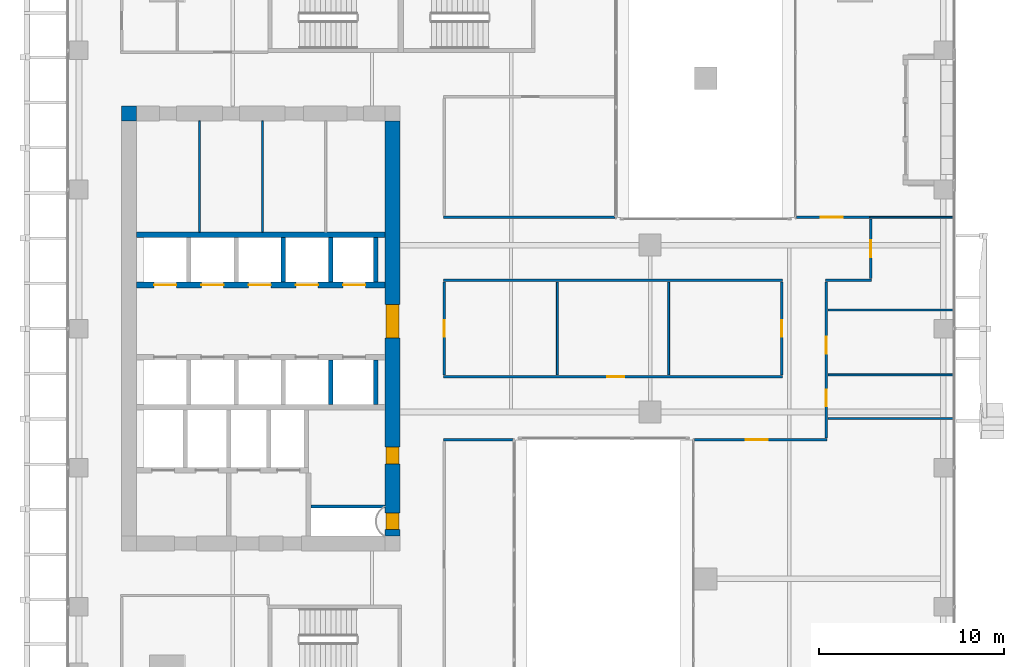
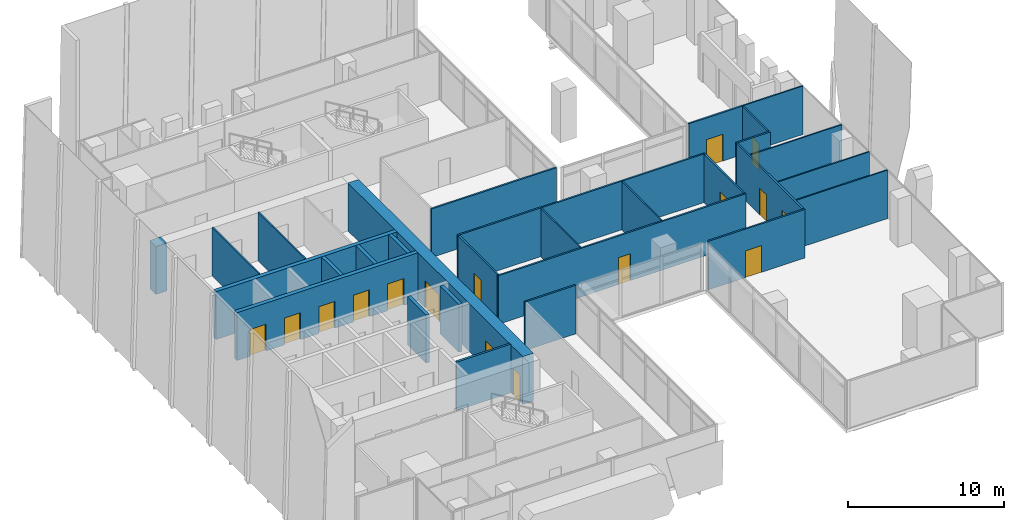
# One storey, part 34 of 40: 29 walls, 16 doors, 16 openings.
"""IFC4 building model written with IfcOpenShell, lengths in metres."""

from ifc_helpers import new_model, si_unit, direction, frame, frame_2d, origin, place, context, subcontext, project, spatial, rectangle, extrude, source, transform, mapped, material, layer, layer_set, type_object, element, fill, save


model = new_model("IFC4")

# Units and contexts
model_context = context("Model", 3, precision=1e-05, world=origin(), true_north=direction((0.0, 1.0)))
body_context = subcontext(model_context, "Body", "Model", "MODEL_VIEW")
ifc_project = project(units=[si_unit("LENGTHUNIT", "METRE"), si_unit("AREAUNIT", "SQUARE_METRE"), si_unit("VOLUMEUNIT", "CUBIC_METRE"), si_unit("PLANEANGLEUNIT", "RADIAN"), si_unit("MASSUNIT", "GRAM", prefix="KILO")], contexts=[model_context])

# Site, building, storey
site_placement = place(None, origin())
site = spatial("IfcSite", under=ifc_project, at=site_placement, CompositionType="ELEMENT")
building_placement = place(site_placement, origin())
building = spatial("IfcBuilding", under=site, at=building_placement, Name="Khomas Fold Tower", CompositionType="ELEMENT")
storey_placement = place(building_placement, frame((0.0, 0.0, 176.699951171875)))
storey = spatial("IfcBuildingStorey", under=building, at=storey_placement, Name="L38", CompositionType="ELEMENT", Elevation=176.699951171875)

# Wall
ifc_material_1 = material(Name="Concrete C60/75", Category="concrete")
ifc_layer_1 = layer(ifc_material_1, 0.800048828125)
ifc_layer_set_1 = layer_set([ifc_layer_1], Name="Concrete C60/75")
wall_type_1 = type_object("IfcWallType", Name="Core corner wall 800", PredefinedType="SHEAR", material=ifc_layer_set_1)
shared_shape_1 = source(origin(), body_context, "Body", "SweptSolid", [
    extrude(rectangle(XDim=0.800048828125, YDim=0.800048828125, at=frame_2d((0.39990234375, 0.0))), origin(), (0.0, 0.0, 1.0), 3.75),
])
wall_1_placement = place(storey_placement, frame((6.0, 38.60009765625, 0.0), z_axis=(0.0, 0.0, 1.0), x_axis=(1.0, 0.0, 0.0)))
element("IfcWall", 1, at=wall_1_placement, inside=storey, type_object=wall_type_1, Name="Core wall CW-U-NW-L35", PredefinedType="SHEAR", context=body_context, shape_type="MappedRepresentation", body=[
    mapped(shared_shape_1, transform((0.0, 0.0, 0.0))),
])

# Wall, openings, doors
ifc_material_2 = material(Name="Concrete C60/75", Category="concrete")
ifc_layer_2 = layer(ifc_material_2, 0.800048828125)
ifc_layer_set_2 = layer_set([ifc_layer_2], Name="Concrete C60/75")
wall_type_2 = type_object("IfcWallType", Name="Core wall 800", PredefinedType="SHEAR", material=ifc_layer_set_2)
shared_shape_2 = source(origin(), body_context, "Body", "SweptSolid", [
    extrude(rectangle(XDim=22.39990234375, YDim=0.800048828125, at=frame_2d((11.199951171875, 0.0))), origin(), (0.0, 0.0, 1.0), 3.75),
])
wall_2_placement = place(storey_placement, frame((20.60009765625, 15.800048828125, 0.0), z_axis=(0.0, 0.0, 1.0), x_axis=(0.0, 1.0, 0.0)))
wall_2 = element("IfcWall", 2, at=wall_2_placement, inside=storey, type_object=wall_type_2, Name="Core wall CW-U-E-L35", PredefinedType="SHEAR", context=body_context, shape_type="MappedRepresentation", body=[
    mapped(shared_shape_2, transform((0.0, 0.0, 0.0))),
])
shared_shape_3 = source(origin(), body_context, "Body", "SweptSolid", [
    extrude(rectangle(XDim=1.800048828125, YDim=2.10009765625, at=frame_2d((0.89990234375, 1.050048828125))), frame((0.0, 0.409912109375, 0.0), z_axis=(0.0, -1.0, 0.0), x_axis=(1.0, 0.0, 0.0)), (0.0, 0.0, 1.0), 0.820068359375),
])
opening_1_placement = place(wall_2_placement, frame((10.699951171875, 0.0, 0.0)))
opening_1 = element("IfcOpeningElement", 3, at=opening_1_placement, cuts=wall_2, Name="Opening 0015", PredefinedType="OPENING", context=body_context, shape_type="MappedRepresentation", body=[
    mapped(shared_shape_3, transform((0.0, 0.0, 0.0))),
])
shared_shape_4 = source(origin(), body_context, "Body", "SweptSolid", [
    extrude(rectangle(XDim=0.89990234375, YDim=2.10009765625, at=frame_2d((0.449951171875, 1.050048828125))), frame((0.0, 0.409912109375, 0.0), z_axis=(0.0, -1.0, 0.0), x_axis=(1.0, 0.0, 0.0)), (0.0, 0.0, 1.0), 0.820068359375),
])
opening_2_placement = place(wall_2_placement, frame((0.35009765625, 0.0, 0.0)))
opening_2 = element("IfcOpeningElement", 4, at=opening_2_placement, cuts=wall_2, Name="Opening 0003", PredefinedType="OPENING", context=body_context, shape_type="MappedRepresentation", body=[
    mapped(shared_shape_4, transform((0.0, 0.0, 0.0))),
])
opening_3_placement = place(wall_2_placement, frame((3.89990234375, 0.0, 0.0)))
opening_3 = element("IfcOpeningElement", 5, at=opening_3_placement, cuts=wall_2, Name="Opening 0008", PredefinedType="OPENING", context=body_context, shape_type="MappedRepresentation", body=[
    mapped(shared_shape_4, transform((0.0, 0.0, 0.0))),
])
ifc_material_3 = material(Name="Steel door leaf", Category="steel")
door_type_1 = type_object("IfcDoorType", Name="Lobby door 1800x2100", OperationType="DOUBLE_DOOR_SINGLE_SWING", PredefinedType="DOOR", material=ifc_material_3)
shared_shape_5 = source(origin(), body_context, "Body", "SweptSolid", [
    extrude(rectangle(XDim=1.800048828125, YDim=2.10009765625, at=frame_2d((0.89990234375, 1.050048828125))), frame((0.0, 0.35009765625, 0.0), z_axis=(0.0, -1.0, 0.0), x_axis=(1.0, 0.0, 0.0)), (0.0, 0.0, 1.0), 0.699951171875),
])
door_1_placement = place(opening_1_placement, origin())
door_1 = element("IfcDoor", 6, at=door_1_placement, inside=storey, type_object=door_type_1, Name="Lobby door", OperationType="DOUBLE_DOOR_SINGLE_SWING", OverallHeight=2.10009765625, OverallWidth=1.800048828125, PredefinedType="DOOR", context=body_context, shape_type="MappedRepresentation", body=[
    mapped(shared_shape_5, transform((0.0, 0.0, 0.0))),
])
fill(opening_1, door_1)
ifc_material_4 = material(Name="Steel door leaf", Category="steel")
door_type_2 = type_object("IfcDoorType", Name="Plant room door 900x2100 right-hand", OperationType="SINGLE_SWING_RIGHT", PredefinedType="DOOR", material=ifc_material_4)
shared_shape_6 = source(origin(), body_context, "Body", "SweptSolid", [
    extrude(rectangle(XDim=0.89990234375, YDim=2.10009765625, at=frame_2d((0.449951171875, 1.050048828125))), frame((0.0, 0.35009765625, 0.0), z_axis=(0.0, -1.0, 0.0), x_axis=(1.0, 0.0, 0.0)), (0.0, 0.0, 1.0), 0.699951171875),
])
door_2_placement = place(opening_2_placement, origin())
door_2 = element("IfcDoor", 7, at=door_2_placement, inside=storey, type_object=door_type_2, Name="Plant room door", OperationType="SINGLE_SWING_RIGHT", OverallHeight=2.10009765625, OverallWidth=0.89990234375, PredefinedType="DOOR", context=body_context, shape_type="MappedRepresentation", body=[
    mapped(shared_shape_6, transform((0.0, 0.0, 0.0))),
])
fill(opening_2, door_2)
ifc_material_5 = material(Name="Timber door leaf", Category="wood")
door_type_3 = type_object("IfcDoorType", Name="Door 900x2100 right-hand", OperationType="SINGLE_SWING_RIGHT", PredefinedType="DOOR", material=ifc_material_5)
door_3_placement = place(opening_3_placement, origin())
door_3 = element("IfcDoor", 8, at=door_3_placement, inside=storey, type_object=door_type_3, Name="Door", OperationType="SINGLE_SWING_RIGHT", OverallHeight=2.10009765625, OverallWidth=0.89990234375, PredefinedType="DOOR", context=body_context, shape_type="MappedRepresentation", body=[
    mapped(shared_shape_6, transform((0.0, 0.0, 0.0))),
])
fill(opening_3, door_3)

# Wall
ifc_material_6 = material(Name="Concrete C50/60", Category="concrete")
ifc_layer_3 = layer(ifc_material_6, 0.300048828125)
ifc_layer_set_3 = layer_set([ifc_layer_3], Name="Concrete C50/60")
wall_type_3 = type_object("IfcWallType", Name="Shaft wall 300", PredefinedType="STANDARD", material=ifc_layer_set_3)
shared_shape_7 = source(origin(), body_context, "Body", "SweptSolid", [
    extrude(rectangle(XDim=13.39990234375, YDim=0.300048828125, at=frame_2d((6.699951171875, 0.0))), origin(), (0.0, 0.0, 1.0), 3.75),
])
wall_3_placement = place(storey_placement, frame((6.800048828125, 32.050048828125, 0.0), z_axis=(0.0, 0.0, 1.0), x_axis=(1.0, 0.0, 0.0)))
element("IfcWall", 9, at=wall_3_placement, inside=storey, type_object=wall_type_3, Name="Core wall SW-HRN-B", PredefinedType="STANDARD", context=body_context, shape_type="MappedRepresentation", body=[
    mapped(shared_shape_7, transform((0.0, 0.0, 0.0))),
])

# Wall, openings, doors
wall_4_placement = place(storey_placement, frame((6.800048828125, 29.35009765625, 0.0), z_axis=(0.0, 0.0, 1.0), x_axis=(1.0, 0.0, 0.0)))
wall_4 = element("IfcWall", 10, at=wall_4_placement, inside=storey, type_object=wall_type_3, Name="Core wall SW-HRN-F", PredefinedType="STANDARD", context=body_context, shape_type="MappedRepresentation", body=[
    mapped(shared_shape_7, transform((0.0, 0.0, 0.0))),
])
shared_shape_8 = source(origin(), body_context, "Body", "SweptSolid", [
    extrude(rectangle(XDim=1.199951171875, YDim=2.10009765625, at=frame_2d((0.60009765625, 1.050048828125))), frame((0.0, 0.159912109375, 0.0), z_axis=(0.0, -1.0, 0.0), x_axis=(1.0, 0.0, 0.0)), (0.0, 0.0, 1.0), 0.320068359375),
])
opening_4_placement = place(wall_4_placement, frame((0.949951171875, 0.0, 0.0)))
opening_4 = element("IfcOpeningElement", 11, at=opening_4_placement, cuts=wall_4, Name="Opening LD-HR4", PredefinedType="OPENING", context=body_context, shape_type="MappedRepresentation", body=[
    mapped(shared_shape_8, transform((0.0, 0.0, 0.0))),
])
opening_5_placement = place(wall_4_placement, frame((3.5, 0.0, 0.0)))
opening_5 = element("IfcOpeningElement", 12, at=opening_5_placement, cuts=wall_4, Name="Opening LD-HR5", PredefinedType="OPENING", context=body_context, shape_type="MappedRepresentation", body=[
    mapped(shared_shape_8, transform((0.0, 0.0, 0.0))),
])
opening_6_placement = place(wall_4_placement, frame((6.050048828125, 0.0, 0.0)))
opening_6 = element("IfcOpeningElement", 13, at=opening_6_placement, cuts=wall_4, Name="Opening LD-HR6", PredefinedType="OPENING", context=body_context, shape_type="MappedRepresentation", body=[
    mapped(shared_shape_8, transform((0.0, 0.0, 0.0))),
])
opening_7_placement = place(wall_4_placement, frame((8.60009765625, 0.0, 0.0)))
opening_7 = element("IfcOpeningElement", 14, at=opening_7_placement, cuts=wall_4, Name="Opening LD-MR3", PredefinedType="OPENING", context=body_context, shape_type="MappedRepresentation", body=[
    mapped(shared_shape_8, transform((0.0, 0.0, 0.0))),
])
opening_8_placement = place(wall_4_placement, frame((11.14990234375, 0.0, 0.0)))
opening_8 = element("IfcOpeningElement", 15, at=opening_8_placement, cuts=wall_4, Name="Opening LD-MR4", PredefinedType="OPENING", context=body_context, shape_type="MappedRepresentation", body=[
    mapped(shared_shape_8, transform((0.0, 0.0, 0.0))),
])
ifc_material_7 = material(Name="Steel door leaf", Category="steel")
door_type_4 = type_object("IfcDoorType", Name="Landing door 1200x2100", OperationType="DOUBLE_DOOR_SLIDING", PredefinedType="DOOR", material=ifc_material_7)
shared_shape_9 = source(origin(), body_context, "Body", "SweptSolid", [
    extrude(rectangle(XDim=1.199951171875, YDim=2.10009765625, at=frame_2d((0.60009765625, 1.050048828125))), frame((0.0, 0.02490234375, 0.0), z_axis=(0.0, -1.0, 0.0), x_axis=(1.0, 0.0, 0.0)), (0.0, 0.0, 1.0), 0.050048828125),
])
door_4_placement = place(opening_4_placement, origin())
door_4 = element("IfcDoor", 16, at=door_4_placement, inside=storey, type_object=door_type_4, Name="Lift landing door", OperationType="DOUBLE_DOOR_SLIDING", OverallHeight=2.10009765625, OverallWidth=1.199951171875, PredefinedType="DOOR", context=body_context, shape_type="MappedRepresentation", body=[
    mapped(shared_shape_9, transform((0.0, 0.0, 0.0))),
])
fill(opening_4, door_4)
door_5_placement = place(opening_5_placement, origin())
door_5 = element("IfcDoor", 17, at=door_5_placement, inside=storey, type_object=door_type_4, Name="Lift landing door", OperationType="DOUBLE_DOOR_SLIDING", OverallHeight=2.10009765625, OverallWidth=1.199951171875, PredefinedType="DOOR", context=body_context, shape_type="MappedRepresentation", body=[
    mapped(shared_shape_9, transform((0.0, 0.0, 0.0))),
])
fill(opening_5, door_5)
door_6_placement = place(opening_6_placement, origin())
door_6 = element("IfcDoor", 18, at=door_6_placement, inside=storey, type_object=door_type_4, Name="Lift landing door", OperationType="DOUBLE_DOOR_SLIDING", OverallHeight=2.10009765625, OverallWidth=1.199951171875, PredefinedType="DOOR", context=body_context, shape_type="MappedRepresentation", body=[
    mapped(shared_shape_9, transform((0.0, 0.0, 0.0))),
])
fill(opening_6, door_6)
door_7_placement = place(opening_7_placement, origin())
door_7 = element("IfcDoor", 19, at=door_7_placement, inside=storey, type_object=door_type_4, Name="Lift landing door", OperationType="DOUBLE_DOOR_SLIDING", OverallHeight=2.10009765625, OverallWidth=1.199951171875, PredefinedType="DOOR", context=body_context, shape_type="MappedRepresentation", body=[
    mapped(shared_shape_9, transform((0.0, 0.0, 0.0))),
])
fill(opening_7, door_7)
door_8_placement = place(opening_8_placement, origin())
door_8 = element("IfcDoor", 20, at=door_8_placement, inside=storey, type_object=door_type_4, Name="Lift landing door", OperationType="DOUBLE_DOOR_SLIDING", OverallHeight=2.10009765625, OverallWidth=1.199951171875, PredefinedType="DOOR", context=body_context, shape_type="MappedRepresentation", body=[
    mapped(shared_shape_9, transform((0.0, 0.0, 0.0))),
])
fill(opening_8, door_8)

# Walls
ifc_material_8 = material(Name="Concrete C50/60", Category="concrete")
ifc_layer_4 = layer(ifc_material_8, 0.25)
ifc_layer_set_4 = layer_set([ifc_layer_4], Name="Concrete C50/60")
wall_type_4 = type_object("IfcWallType", Name="Shaft wall 250", PredefinedType="STANDARD", material=ifc_layer_set_4)
shared_shape_10 = source(origin(), body_context, "Body", "SweptSolid", [
    extrude(rectangle(XDim=2.39990234375, YDim=0.25, at=frame_2d((1.199951171875, 0.0))), origin(), (0.0, 0.0, 1.0), 3.75),
])
for number, where, z_axis, x_axis, name in (
    (21, (17.27490234375, 29.5, 0.0), (0.0, 0.0, 1.0), (0.0, 1.0, 0.0), "Core wall SW-HRN-MR-P1"),
    (22, (19.699951171875, 29.5, 0.0), (0.0, 0.0, 1.0), (0.0, 1.0, 0.0), "Core wall SW-HRN-MR-PE"),
    (23, (14.72509765625, 29.5, 0.0), (0.0, 0.0, 1.0), (0.0, 1.0, 0.0), "Core wall SW-HRN-PE"),
):
    element("IfcWall", number, at=place(storey_placement, frame(where, z_axis=z_axis, x_axis=x_axis)), inside=storey, type_object=wall_type_4, Name=name, PredefinedType="STANDARD", context=body_context, shape_type="MappedRepresentation", body=[
        mapped(shared_shape_10, transform((0.0, 0.0, 0.0))),
    ])
shared_shape_11 = source(origin(), body_context, "Body", "SweptSolid", [
    extrude(rectangle(XDim=2.400146484375, YDim=0.25, at=frame_2d((1.2001953125, 0.0))), origin(), (0.0, 0.0, 1.0), 3.75),
])
for number, where, z_axis, x_axis, name in (
    (24, (17.27490234375, 22.89990234375, 0.0), (0.0, 0.0, 1.0), (0.0, 1.0, 0.0), "Core wall SW-HRS-MR-P1"),
    (25, (19.699951171875, 22.89990234375, 0.0), (0.0, 0.0, 1.0), (0.0, 1.0, 0.0), "Core wall SW-HRS-MR-PE"),
):
    element("IfcWall", number, at=place(storey_placement, frame(where, z_axis=z_axis, x_axis=x_axis)), inside=storey, type_object=wall_type_4, Name=name, PredefinedType="STANDARD", context=body_context, shape_type="MappedRepresentation", body=[
        mapped(shared_shape_11, transform((0.0, 0.0, 0.0))),
    ])
ifc_material_9 = material(Name="Plasterboard fire partition")
ifc_layer_5 = layer(ifc_material_9, 0.14990234375)
ifc_layer_set_5 = layer_set([ifc_layer_5], Name="Plasterboard fire partition")
wall_type_5 = type_object("IfcWallType", Name="Plant room wall PW3 150", PredefinedType="PARTITIONING", material=ifc_layer_set_5)
shared_shape_12 = source(origin(), body_context, "Body", "SweptSolid", [
    extrude(rectangle(XDim=4.0, YDim=0.14990234375, at=frame_2d((2.0, 0.0))), origin(), (0.0, 0.0, 1.0), 3.800048828125),
])
wall_5_placement = place(storey_placement, frame((16.199951171875, 17.39990234375, 0.0), z_axis=(0.0, 0.0, 1.0), x_axis=(1.0, 0.0, 0.0)))
element("IfcWall", 26, at=wall_5_placement, inside=storey, type_object=wall_type_5, Name="Plant room wall", PredefinedType="PARTITIONING", context=body_context, shape_type="MappedRepresentation", body=[
    mapped(shared_shape_12, transform((0.0, 0.0, 0.0))),
])

# Wall, openings, doors
ifc_material_10 = material(Name="Plasterboard partition")
ifc_layer_6 = layer(ifc_material_10, 0.125)
ifc_layer_set_6 = layer_set([ifc_layer_6], Name="Plasterboard partition")
wall_type_6 = type_object("IfcWallType", Name="Partition PW2 125", PredefinedType="PARTITIONING", material=ifc_layer_set_6)
shared_shape_13 = source(origin(), body_context, "Body", "SweptSolid", [
    extrude(rectangle(XDim=8.39990234375, YDim=0.125, at=frame_2d((4.199951171875, 0.0))), origin(), (0.0, 0.0, 1.0), 3.800048828125),
])
wall_6_placement = place(storey_placement, frame((44.0, 21.10009765625, 0.0), z_axis=(0.0, 0.0, 1.0), x_axis=(0.0, 1.0, 0.0)))
wall_6 = element("IfcWall", 27, at=wall_6_placement, inside=storey, type_object=wall_type_6, Name="Partition", PredefinedType="PARTITIONING", context=body_context, shape_type="MappedRepresentation", body=[
    mapped(shared_shape_13, transform((0.0, 0.0, 0.0))),
])
shared_shape_14 = source(origin(), body_context, "Body", "SweptSolid", [
    extrude(rectangle(XDim=0.89990234375, YDim=2.10009765625, at=frame_2d((0.449951171875, 1.050048828125))), frame((0.0, 0.072509765625, 0.0), z_axis=(0.0, -1.0, 0.0), x_axis=(1.0, 0.0, 0.0)), (0.0, 0.0, 1.0), 0.14501953125),
])
opening_9_placement = place(wall_6_placement, frame((1.699951171875, 0.0, 0.0)))
opening_9 = element("IfcOpeningElement", 28, at=opening_9_placement, cuts=wall_6, Name="Opening 0007", PredefinedType="OPENING", context=body_context, shape_type="MappedRepresentation", body=[
    mapped(shared_shape_14, transform((0.0, 0.0, 0.0))),
])
opening_10_placement = place(wall_6_placement, frame((4.550048828125, 0.0, 0.0)))
opening_10 = element("IfcOpeningElement", 29, at=opening_10_placement, cuts=wall_6, Name="Opening 0007", PredefinedType="OPENING", context=body_context, shape_type="MappedRepresentation", body=[
    mapped(shared_shape_14, transform((0.0, 0.0, 0.0))),
])
ifc_material_11 = material(Name="Timber door leaf", Category="wood")
door_type_5 = type_object("IfcDoorType", Name="Door 900x2100 left-hand", OperationType="SINGLE_SWING_LEFT", PredefinedType="DOOR", material=ifc_material_11)
shared_shape_15 = source(origin(), body_context, "Body", "SweptSolid", [
    extrude(rectangle(XDim=0.89990234375, YDim=2.10009765625, at=frame_2d((0.449951171875, 1.050048828125))), frame((0.0, 0.02490234375, 0.0), z_axis=(0.0, -1.0, 0.0), x_axis=(1.0, 0.0, 0.0)), (0.0, 0.0, 1.0), 0.050048828125),
])
door_9_placement = place(opening_9_placement, origin())
door_9 = element("IfcDoor", 30, at=door_9_placement, inside=storey, type_object=door_type_5, Name="Door", OperationType="SINGLE_SWING_LEFT", OverallHeight=2.10009765625, OverallWidth=0.89990234375, PredefinedType="DOOR", context=body_context, shape_type="MappedRepresentation", body=[
    mapped(shared_shape_15, transform((0.0, 0.0, 0.0))),
])
fill(opening_9, door_9)
door_10_placement = place(opening_10_placement, origin())
door_10 = element("IfcDoor", 31, at=door_10_placement, inside=storey, type_object=door_type_5, Name="Door", OperationType="SINGLE_SWING_LEFT", OverallHeight=2.10009765625, OverallWidth=0.89990234375, PredefinedType="DOOR", context=body_context, shape_type="MappedRepresentation", body=[
    mapped(shared_shape_15, transform((0.0, 0.0, 0.0))),
])
fill(opening_10, door_10)

# Wall, opening, door
shared_shape_16 = source(origin(), body_context, "Body", "SweptSolid", [
    extrude(rectangle(XDim=18.2998046875, YDim=0.125, at=frame_2d((9.14990234375, 0.0))), origin(), (0.0, 0.0, 1.0), 3.800048828125),
])
wall_7_placement = place(storey_placement, frame((23.35009765625, 24.39990234375, 0.0), z_axis=(0.0, 0.0, 1.0), x_axis=(1.0, 0.0, 0.0)))
wall_7 = element("IfcWall", 32, at=wall_7_placement, inside=storey, type_object=wall_type_6, Name="Partition", PredefinedType="PARTITIONING", context=body_context, shape_type="MappedRepresentation", body=[
    mapped(shared_shape_16, transform((0.0, 0.0, 0.0))),
])
opening_11_placement = place(wall_7_placement, frame((8.85009765625, 0.0, 0.0)))
opening_11 = element("IfcOpeningElement", 33, at=opening_11_placement, cuts=wall_7, Name="Opening 0007", PredefinedType="OPENING", context=body_context, shape_type="MappedRepresentation", body=[
    mapped(shared_shape_14, transform((0.0, 0.0, 0.0))),
])
door_11_placement = place(opening_11_placement, origin())
door_11 = element("IfcDoor", 34, at=door_11_placement, inside=storey, type_object=door_type_5, Name="Door", OperationType="SINGLE_SWING_LEFT", OverallHeight=2.10009765625, OverallWidth=0.89990234375, PredefinedType="DOOR", context=body_context, shape_type="MappedRepresentation", body=[
    mapped(shared_shape_15, transform((0.0, 0.0, 0.0))),
])
fill(opening_11, door_11)

# Wall
wall_8_placement = place(storey_placement, frame((23.35009765625, 29.60009765625, 0.0), z_axis=(0.0, 0.0, 1.0), x_axis=(1.0, 0.0, 0.0)))
element("IfcWall", 35, at=wall_8_placement, inside=storey, type_object=wall_type_6, Name="Partition", PredefinedType="PARTITIONING", context=body_context, shape_type="MappedRepresentation", body=[
    mapped(shared_shape_16, transform((0.0, 0.0, 0.0))),
])

# Wall, opening, door
shared_shape_17 = source(origin(), body_context, "Body", "SweptSolid", [
    extrude(rectangle(XDim=5.0, YDim=0.125, at=frame_2d((2.5, 0.0))), origin(), (0.0, 0.0, 1.0), 3.800048828125),
])
wall_9_placement = place(storey_placement, frame((23.39990234375, 24.5, 0.0), z_axis=(0.0, 0.0, 1.0), x_axis=(0.0, 1.0, 0.0)))
wall_9 = element("IfcWall", 36, at=wall_9_placement, inside=storey, type_object=wall_type_6, Name="Partition", PredefinedType="PARTITIONING", context=body_context, shape_type="MappedRepresentation", body=[
    mapped(shared_shape_17, transform((0.0, 0.0, 0.0))),
])
opening_12_placement = place(wall_9_placement, frame((2.050048828125, 0.0, 0.0)))
opening_12 = element("IfcOpeningElement", 37, at=opening_12_placement, cuts=wall_9, Name="Opening 0008", PredefinedType="OPENING", context=body_context, shape_type="MappedRepresentation", body=[
    mapped(shared_shape_14, transform((0.0, 0.0, 0.0))),
])
door_12_placement = place(opening_12_placement, origin())
door_12 = element("IfcDoor", 38, at=door_12_placement, inside=storey, type_object=door_type_3, Name="Door", OperationType="SINGLE_SWING_RIGHT", OverallHeight=2.10009765625, OverallWidth=0.89990234375, PredefinedType="DOOR", context=body_context, shape_type="MappedRepresentation", body=[
    mapped(shared_shape_15, transform((0.0, 0.0, 0.0))),
])
fill(opening_12, door_12)

wall_10_placement = place(storey_placement, frame((41.60009765625, 24.5, 0.0), z_axis=(0.0, 0.0, 1.0), x_axis=(0.0, 1.0, 0.0)))
wall_10 = element("IfcWall", 39, at=wall_10_placement, inside=storey, type_object=wall_type_6, Name="Partition", PredefinedType="PARTITIONING", context=body_context, shape_type="MappedRepresentation", body=[
    mapped(shared_shape_17, transform((0.0, 0.0, 0.0))),
])
opening_13_placement = place(wall_10_placement, frame((2.050048828125, 0.0, 0.0)))
opening_13 = element("IfcOpeningElement", 40, at=opening_13_placement, cuts=wall_10, Name="Opening 0007", PredefinedType="OPENING", context=body_context, shape_type="MappedRepresentation", body=[
    mapped(shared_shape_14, transform((0.0, 0.0, 0.0))),
])
door_13_placement = place(opening_13_placement, origin())
door_13 = element("IfcDoor", 41, at=door_13_placement, inside=storey, type_object=door_type_5, Name="Door", OperationType="SINGLE_SWING_LEFT", OverallHeight=2.10009765625, OverallWidth=0.89990234375, PredefinedType="DOOR", context=body_context, shape_type="MappedRepresentation", body=[
    mapped(shared_shape_15, transform((0.0, 0.0, 0.0))),
])
fill(opening_13, door_13)

# Wall
shared_shape_18 = source(origin(), body_context, "Body", "SweptSolid", [
    extrude(rectangle(XDim=2.5, YDim=0.125, at=frame_2d((1.25, 0.0))), origin(), (0.0, 0.0, 1.0), 3.800048828125),
])
wall_11_placement = place(storey_placement, frame((43.949951171875, 29.60009765625, 0.0), z_axis=(0.0, 0.0, 1.0), x_axis=(1.0, 0.0, 0.0)))
element("IfcWall", 42, at=wall_11_placement, inside=storey, type_object=wall_type_6, Name="Partition", PredefinedType="PARTITIONING", context=body_context, shape_type="MappedRepresentation", body=[
    mapped(shared_shape_18, transform((0.0, 0.0, 0.0))),
])

# Wall, opening, door
shared_shape_19 = source(origin(), body_context, "Body", "SweptSolid", [
    extrude(rectangle(XDim=3.199951171875, YDim=0.125, at=frame_2d((1.60009765625, 0.0))), origin(), (0.0, 0.0, 1.0), 3.800048828125),
])
wall_12_placement = place(storey_placement, frame((46.39990234375, 29.699951171875, 0.0), z_axis=(0.0, 0.0, 1.0), x_axis=(0.0, 1.0, 0.0)))
wall_12 = element("IfcWall", 43, at=wall_12_placement, inside=storey, type_object=wall_type_6, Name="Partition", PredefinedType="PARTITIONING", context=body_context, shape_type="MappedRepresentation", body=[
    mapped(shared_shape_19, transform((0.0, 0.0, 0.0))),
])
opening_14_placement = place(wall_12_placement, frame((1.14990234375, 0.0, 0.0)))
opening_14 = element("IfcOpeningElement", 44, at=opening_14_placement, cuts=wall_12, Name="Opening 0007", PredefinedType="OPENING", context=body_context, shape_type="MappedRepresentation", body=[
    mapped(shared_shape_14, transform((0.0, 0.0, 0.0))),
])
door_14_placement = place(opening_14_placement, origin())
door_14 = element("IfcDoor", 45, at=door_14_placement, inside=storey, type_object=door_type_5, Name="Door", OperationType="SINGLE_SWING_LEFT", OverallHeight=2.10009765625, OverallWidth=0.89990234375, PredefinedType="DOOR", context=body_context, shape_type="MappedRepresentation", body=[
    mapped(shared_shape_15, transform((0.0, 0.0, 0.0))),
])
fill(opening_14, door_14)

# Walls
ifc_material_12 = material(Name="Plasterboard partition")
ifc_layer_7 = layer(ifc_material_12, 0.10009765625)
ifc_layer_set_7 = layer_set([ifc_layer_7], Name="Plasterboard partition")
wall_type_7 = type_object("IfcWallType", Name="Partition PW1 100", PredefinedType="PARTITIONING", material=ifc_layer_set_7)
shared_shape_20 = source(origin(), body_context, "Body", "SweptSolid", [
    extrude(rectangle(XDim=6.0, YDim=0.10009765625, at=frame_2d((3.0, 0.0))), origin(), (0.0, 0.0, 1.0), 3.800048828125),
])
for number, where, z_axis, x_axis, name in (
    (46, (10.199951171875, 32.199951171875, 0.0), (0.0, 0.0, 1.0), (0.0, 1.0, 0.0), "Partition"),
    (47, (13.60009765625, 32.199951171875, 0.0), (0.0, 0.0, 1.0), (0.0, 1.0, 0.0), "Partition"),
):
    element("IfcWall", number, at=place(storey_placement, frame(where, z_axis=z_axis, x_axis=x_axis)), inside=storey, type_object=wall_type_7, Name=name, PredefinedType="PARTITIONING", context=body_context, shape_type="MappedRepresentation", body=[
        mapped(shared_shape_20, transform((0.0, 0.0, 0.0))),
    ])
shared_shape_21 = source(origin(), body_context, "Body", "SweptSolid", [
    extrude(rectangle(XDim=4.5, YDim=0.10009765625, at=frame_2d((2.25, 0.0))), origin(), (0.0, 0.0, 1.0), 3.800048828125),
])
wall_13_placement = place(storey_placement, frame((46.35009765625, 33.0, 0.0), z_axis=(0.0, 0.0, 1.0), x_axis=(1.0, 0.0, 0.0)))
element("IfcWall", 48, at=wall_13_placement, inside=storey, type_object=wall_type_7, Name="Partition", PredefinedType="PARTITIONING", context=body_context, shape_type="MappedRepresentation", body=[
    mapped(shared_shape_21, transform((0.0, 0.0, 0.0))),
])
shared_shape_22 = source(origin(), body_context, "Body", "SweptSolid", [
    extrude(rectangle(XDim=3.75, YDim=0.125, at=frame_2d((1.875, 0.0))), origin(), (0.0, 0.0, 1.0), 3.800048828125),
])
wall_14_placement = place(storey_placement, frame((23.35009765625, 21.0, 0.0), z_axis=(0.0, 0.0, 1.0), x_axis=(1.0, 0.0, 0.0)))
element("IfcWall", 49, at=wall_14_placement, inside=storey, type_object=wall_type_6, Name="Partition", PredefinedType="PARTITIONING", context=body_context, shape_type="MappedRepresentation", body=[
    mapped(shared_shape_22, transform((0.0, 0.0, 0.0))),
])

# Wall, opening, door
shared_shape_23 = source(origin(), body_context, "Body", "SweptSolid", [
    extrude(rectangle(XDim=7.150146484375, YDim=0.125, at=frame_2d((3.5751953125, 0.0))), origin(), (0.0, 0.0, 1.0), 3.800048828125),
])
wall_15_placement = place(storey_placement, frame((36.89990234375, 21.0, 0.0), z_axis=(0.0, 0.0, 1.0), x_axis=(1.0, 0.0, 0.0)))
wall_15 = element("IfcWall", 50, at=wall_15_placement, inside=storey, type_object=wall_type_6, Name="Partition", PredefinedType="PARTITIONING", context=body_context, shape_type="MappedRepresentation", body=[
    mapped(shared_shape_23, transform((0.0, 0.0, 0.0))),
])
shared_shape_24 = source(origin(), body_context, "Body", "SweptSolid", [
    extrude(rectangle(XDim=1.199951171875, YDim=2.10009765625, at=frame_2d((0.60009765625, 1.050048828125))), frame((0.0, 0.072509765625, 0.0), z_axis=(0.0, -1.0, 0.0), x_axis=(1.0, 0.0, 0.0)), (0.0, 0.0, 1.0), 0.14501953125),
])
opening_15_placement = place(wall_15_placement, frame((2.75, 0.0, 0.0)))
opening_15 = element("IfcOpeningElement", 51, at=opening_15_placement, cuts=wall_15, Name="Opening 0013", PredefinedType="OPENING", context=body_context, shape_type="MappedRepresentation", body=[
    mapped(shared_shape_24, transform((0.0, 0.0, 0.0))),
])
ifc_material_13 = material(Name="Timber door leaf", Category="wood")
door_type_6 = type_object("IfcDoorType", Name="Door 1200x2100 left-hand", OperationType="SINGLE_SWING_LEFT", PredefinedType="DOOR", material=ifc_material_13)
door_15_placement = place(opening_15_placement, origin())
door_15 = element("IfcDoor", 52, at=door_15_placement, inside=storey, type_object=door_type_6, Name="Door", OperationType="SINGLE_SWING_LEFT", OverallHeight=2.10009765625, OverallWidth=1.199951171875, PredefinedType="DOOR", context=body_context, shape_type="MappedRepresentation", body=[
    mapped(shared_shape_9, transform((0.0, 0.0, 0.0))),
])
fill(opening_15, door_15)

# Walls
shared_shape_25 = source(origin(), body_context, "Body", "SweptSolid", [
    extrude(rectangle(XDim=6.75, YDim=0.10009765625, at=frame_2d((3.375, 0.0))), origin(), (0.0, 0.0, 1.0), 3.800048828125),
])
for number, where, z_axis, x_axis, name in (
    (53, (44.10009765625, 22.14990234375, 0.0), (0.0, 0.0, 1.0), (1.0, 0.0, 0.0), "Partition"),
    (54, (44.10009765625, 24.5, 0.0), (0.0, 0.0, 1.0), (1.0, 0.0, 0.0), "Partition"),
    (55, (44.10009765625, 28.0, 0.0), (0.0, 0.0, 1.0), (1.0, 0.0, 0.0), "Partition"),
):
    element("IfcWall", number, at=place(storey_placement, frame(where, z_axis=z_axis, x_axis=x_axis)), inside=storey, type_object=wall_type_7, Name=name, PredefinedType="PARTITIONING", context=body_context, shape_type="MappedRepresentation", body=[
        mapped(shared_shape_25, transform((0.0, 0.0, 0.0))),
    ])
shared_shape_26 = source(origin(), body_context, "Body", "SweptSolid", [
    extrude(rectangle(XDim=5.0, YDim=0.10009765625, at=frame_2d((2.5, 0.0))), origin(), (0.0, 0.0, 1.0), 3.800048828125),
])
for number, where, z_axis, x_axis, name in (
    (56, (29.5, 24.5, 0.0), (0.0, 0.0, 1.0), (0.0, 1.0, 0.0), "Partition"),
    (57, (35.5, 24.5, 0.0), (0.0, 0.0, 1.0), (0.0, 1.0, 0.0), "Partition"),
):
    element("IfcWall", number, at=place(storey_placement, frame(where, z_axis=z_axis, x_axis=x_axis)), inside=storey, type_object=wall_type_7, Name=name, PredefinedType="PARTITIONING", context=body_context, shape_type="MappedRepresentation", body=[
        mapped(shared_shape_26, transform((0.0, 0.0, 0.0))),
    ])
shared_shape_27 = source(origin(), body_context, "Body", "SweptSolid", [
    extrude(rectangle(XDim=9.25, YDim=0.125, at=frame_2d((4.625, 0.0))), origin(), (0.0, 0.0, 1.0), 3.800048828125),
])
wall_16_placement = place(storey_placement, frame((23.35009765625, 33.0, 0.0), z_axis=(0.0, 0.0, 1.0), x_axis=(1.0, 0.0, 0.0)))
element("IfcWall", 58, at=wall_16_placement, inside=storey, type_object=wall_type_6, Name="Partition", PredefinedType="PARTITIONING", context=body_context, shape_type="MappedRepresentation", body=[
    mapped(shared_shape_27, transform((0.0, 0.0, 0.0))),
])

# Wall, opening, door
shared_shape_28 = source(origin(), body_context, "Body", "SweptSolid", [
    extrude(rectangle(XDim=3.9501953125, YDim=0.125, at=frame_2d((1.97509765625, 0.0))), origin(), (0.0, 0.0, 1.0), 3.800048828125),
])
wall_17_placement = place(storey_placement, frame((42.39990234375, 33.0, 0.0), z_axis=(0.0, 0.0, 1.0), x_axis=(1.0, 0.0, 0.0)))
wall_17 = element("IfcWall", 59, at=wall_17_placement, inside=storey, type_object=wall_type_6, Name="Partition", PredefinedType="PARTITIONING", context=body_context, shape_type="MappedRepresentation", body=[
    mapped(shared_shape_28, transform((0.0, 0.0, 0.0))),
])
opening_16_placement = place(wall_17_placement, frame((1.300048828125, 0.0, 0.0)))
opening_16 = element("IfcOpeningElement", 60, at=opening_16_placement, cuts=wall_17, Name="Opening 0001", PredefinedType="OPENING", context=body_context, shape_type="MappedRepresentation", body=[
    mapped(shared_shape_24, transform((0.0, 0.0, 0.0))),
])
ifc_material_14 = material(Name="Timber door leaf", Category="wood")
door_type_7 = type_object("IfcDoorType", Name="Door 1200x2100 right-hand", OperationType="SINGLE_SWING_RIGHT", PredefinedType="DOOR", material=ifc_material_14)
door_16_placement = place(opening_16_placement, origin())
door_16 = element("IfcDoor", 61, at=door_16_placement, inside=storey, type_object=door_type_7, Name="Door", OperationType="SINGLE_SWING_RIGHT", OverallHeight=2.10009765625, OverallWidth=1.199951171875, PredefinedType="DOOR", context=body_context, shape_type="MappedRepresentation", body=[
    mapped(shared_shape_9, transform((0.0, 0.0, 0.0))),
])
fill(opening_16, door_16)

save(model, "model.ifc")
